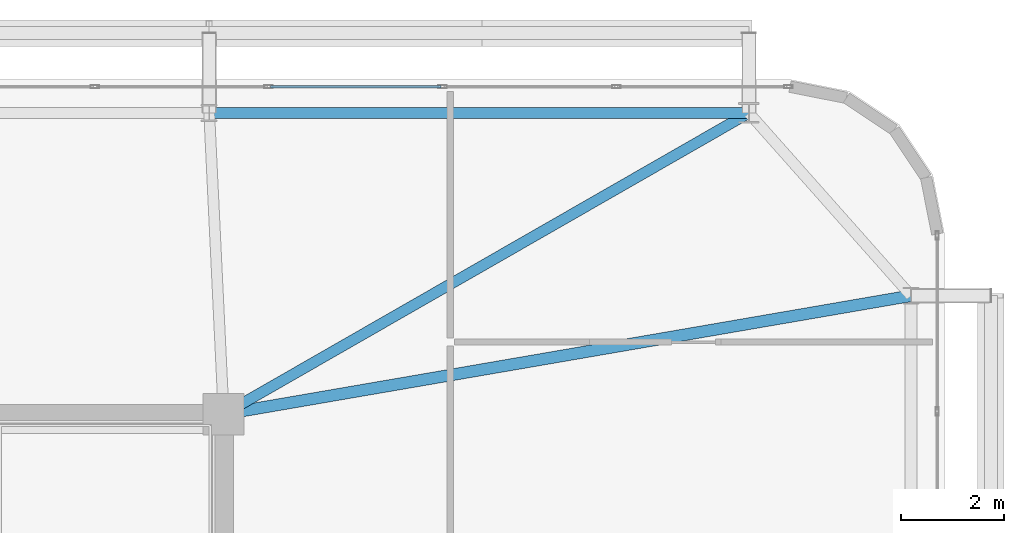
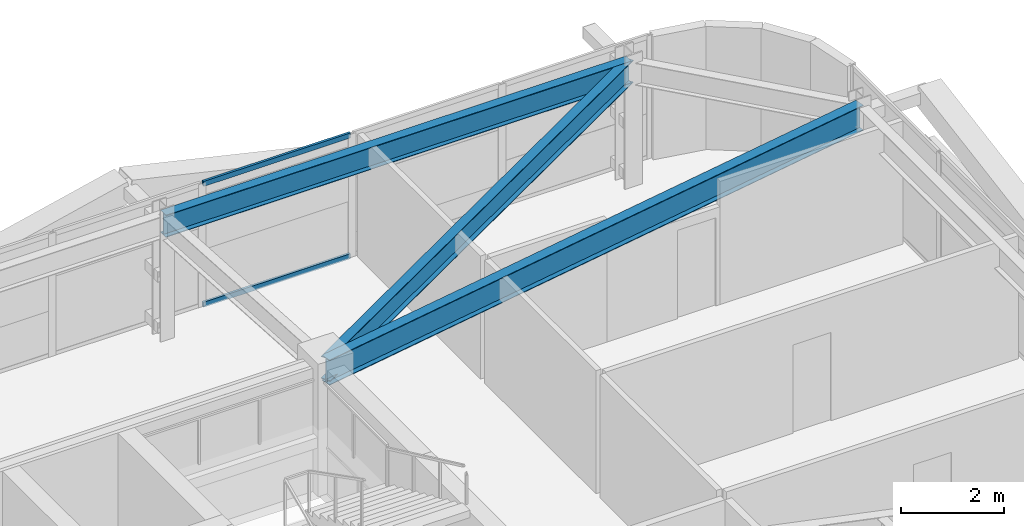
# One storey, part 39 of 59: 3 beams, 2 members, 1 element without a shape of its own.
"""IFC4 building model written with IfcOpenShell, lengths in metres."""

from ifc_helpers import new_model, si_unit, direction, frame, origin, origin_2d, place, context, subcontext, project, spatial, hollow_rectangle, i_section, extrude, source, transform, mapped, material, layer, layer_set, material_profile, profile_set, type_object, element, aggregate, save


model = new_model("IFC4")

# Units and contexts
model_context = context("Model", 3, precision=1e-05, world=origin(), true_north=direction((0.0, 1.0)))
body_context = subcontext(model_context, "Body", "Model", "MODEL_VIEW")
ifc_project = project(units=[si_unit("LENGTHUNIT", "METRE"), si_unit("AREAUNIT", "SQUARE_METRE"), si_unit("VOLUMEUNIT", "CUBIC_METRE"), si_unit("PLANEANGLEUNIT", "RADIAN"), si_unit("MASSUNIT", "GRAM", prefix="KILO")], contexts=[model_context])

# Site, building, storey
site_placement = place(None, origin())
site = spatial("IfcSite", under=ifc_project, at=site_placement, CompositionType="ELEMENT")
building_placement = place(site_placement, origin())
building = spatial("IfcBuilding", under=site, at=building_placement, Name="Taldren Reach Tower", CompositionType="ELEMENT")
storey_placement = place(building_placement, frame((0.0, 0.0, 19.949951171875)))
storey = spatial("IfcBuildingStorey", under=building, at=storey_placement, Name="L05", CompositionType="ELEMENT", Elevation=19.949951171875)

# Beams
ifc_material_1 = material(Name="Steel Gr 350 (350PLUS)", Category="steel")
ifc_material_profile_1 = material_profile(ifc_material_1, i_section(OverallWidth=0.208984375, OverallDepth=0.528076171875, WebThickness=0.009521484375, FlangeThickness=0.01318359375, at=origin_2d()), Name="530UB82.0")
ifc_profile_set_1 = profile_set([ifc_material_profile_1], Name="Steel Gr 350 (350PLUS)")
beam_type_1 = type_object("IfcBeamType", Name="SP-UB530B", PredefinedType="SPANDREL", material=ifc_profile_set_1)
shared_shape_1 = source(origin(), body_context, "Body", "SweptSolid", [
    extrude(i_section(OverallWidth=0.208984375, OverallDepth=0.528076171875, WebThickness=0.009521484375, FlangeThickness=0.01318359375, at=origin_2d()), origin(), (0.0, 0.0, 1.0), 10.47998046875),
])
beam_1_placement = place(storey_placement, frame((61.199951171875, 37.85009765625, 2.666015625), z_axis=(-1.0, 0.0, 0.0), x_axis=(0.0, -1.0, 0.0)))
element("IfcBeam", 1, at=beam_1_placement, inside=storey, type_object=beam_type_1, Name="Perimeter spandrel B1 N6-N5 L05", PredefinedType="SPANDREL", context=body_context, shape_type="MappedRepresentation", body=[
    mapped(shared_shape_1, transform((0.0, 0.0, 0.0), scale=1.0)),
])
ifc_material_profile_2 = material_profile(ifc_material_1, i_section(OverallWidth=0.22802734375, OverallDepth=0.60205078125, WebThickness=0.010498046875, FlangeThickness=0.014892578125, at=origin_2d()), Name="610UB101")
ifc_profile_set_2 = profile_set([ifc_material_profile_2], Name="Steel Gr 350 (350PLUS)")
beam_type_2 = type_object("IfcBeamType", Name="BM-UB610B", PredefinedType="BEAM", material=ifc_profile_set_2)
shared_shape_2 = source(origin(), body_context, "Body", "SweptSolid", [
    extrude(i_section(OverallWidth=0.22802734375, OverallDepth=0.60205078125, WebThickness=0.010498046875, FlangeThickness=0.014892578125, at=origin_2d()), origin(), (0.0, 0.0, 1.0), 13.546875),
])
beam_2_placement = place(storey_placement, frame((51.0, 32.0, 2.629150390625), z_axis=(0.985481022998, 0.169785609847, 0.0), x_axis=(-0.169785609847, 0.985481022998, 0.0)))
element("IfcBeam", 2, at=beam_2_placement, inside=storey, type_object=beam_type_2, Name="Primary floor girder B1-E3 L05", PredefinedType="BEAM", context=body_context, shape_type="MappedRepresentation", body=[
    mapped(shared_shape_2, transform((0.0, 0.0, 0.0), scale=1.0)),
])
ifc_material_profile_3 = material_profile(ifc_material_1, i_section(OverallWidth=0.208984375, OverallDepth=0.532958984375, WebThickness=0.01025390625, FlangeThickness=0.015625, at=origin_2d()), Name="530UB92.4")
ifc_profile_set_3 = profile_set([ifc_material_profile_3], Name="Steel Gr 350 (350PLUS)")
beam_type_3 = type_object("IfcBeamType", Name="BM-UB530A", PredefinedType="BEAM", material=ifc_profile_set_3)
shared_shape_3 = source(origin(), body_context, "Body", "SweptSolid", [
    extrude(i_section(OverallWidth=0.208984375, OverallDepth=0.532958984375, WebThickness=0.01025390625, FlangeThickness=0.015625, at=origin_2d()), origin(), (0.0, 0.0, 1.0), 11.758544921875),
])
beam_3_placement = place(storey_placement, frame((51.0, 32.0, 2.66357421875), z_axis=(0.867452414141, 0.497520159593, 0.0), x_axis=(-0.497520159593, 0.867452414141, 0.0)))
element("IfcBeam", 3, at=beam_3_placement, inside=storey, type_object=beam_type_3, Name="Primary floor girder B1-N6 L05", PredefinedType="BEAM", context=body_context, shape_type="MappedRepresentation", body=[
    mapped(shared_shape_3, transform((0.0, 0.0, 0.0), scale=1.0)),
])

# Curtain wall, members
ifc_material_2 = material(Name="Aluminium and Low-E Glass Unitised System", Category="aluminium")
ifc_layer = layer(ifc_material_2, 0.159912109375)
ifc_layer_set = layer_set([ifc_layer], Name="Aluminium and Low-E Glass Unitised System")
curtain_wall_type = type_object("IfcCurtainWallType", Name="CW-SYS-2", PredefinedType="NOTDEFINED", material=ifc_layer_set)
curtain_wall_placement = place(storey_placement, origin())
curtain_wall = element("IfcCurtainWall", 4, at=curtain_wall_placement, inside=storey, type_object=curtain_wall_type, Name="Unitised curtain wall CW-L05-N", PredefinedType="NOTDEFINED")
ifc_material_3 = material(Name="Anodised Aluminium 6063-T6", Category="aluminium")
ifc_material_profile_4 = material_profile(ifc_material_3, hollow_rectangle(XDim=0.054931640625, YDim=0.1201171875, WallThickness=0.0029296875, at=origin_2d()), Name="ALU-120x55x3RHS")
ifc_profile_set_4 = profile_set([ifc_material_profile_4], Name="Anodised Aluminium 6063-T6")
member_type = type_object("IfcMemberType", Name="CW-TRN-135", PredefinedType="USERDEFINED", material=ifc_profile_set_4)
shared_shape_4 = source(origin(), body_context, "Body", "SweptSolid", [
    extrude(hollow_rectangle(XDim=0.054931640625, YDim=0.1201171875, WallThickness=0.0029296875, at=origin_2d()), origin(), (0.0, 0.0, 1.0), 3.31005859375),
])
member_1_placement = place(storey_placement, frame((55.217529296875, 38.360107421875, 0.027587890625), z_axis=(-1.0, 0.0, 0.0), x_axis=(0.0, -1.0, 0.0)))
member_1 = element("IfcMember", 5, at=member_1_placement, type_object=member_type, Name="CW-2 transom 3.1", ObjectType="TRANSOM", PredefinedType="USERDEFINED", context=body_context, shape_type="MappedRepresentation", body=[
    mapped(shared_shape_4, transform((0.0, 0.0, 0.0), scale=1.0)),
])
member_2_placement = place(storey_placement, frame((55.217529296875, 38.360107421875, 2.902587890625), z_axis=(-1.0, 0.0, 0.0), x_axis=(0.0, -1.0, 0.0)))
member_2 = element("IfcMember", 6, at=member_2_placement, type_object=member_type, Name="CW-2 transom 3.2", ObjectType="TRANSOM", PredefinedType="USERDEFINED", context=body_context, shape_type="MappedRepresentation", body=[
    mapped(shared_shape_4, transform((0.0, 0.0, 0.0), scale=1.0)),
])
aggregate(curtain_wall, [member_1, member_2])

save(model, "model.ifc")
